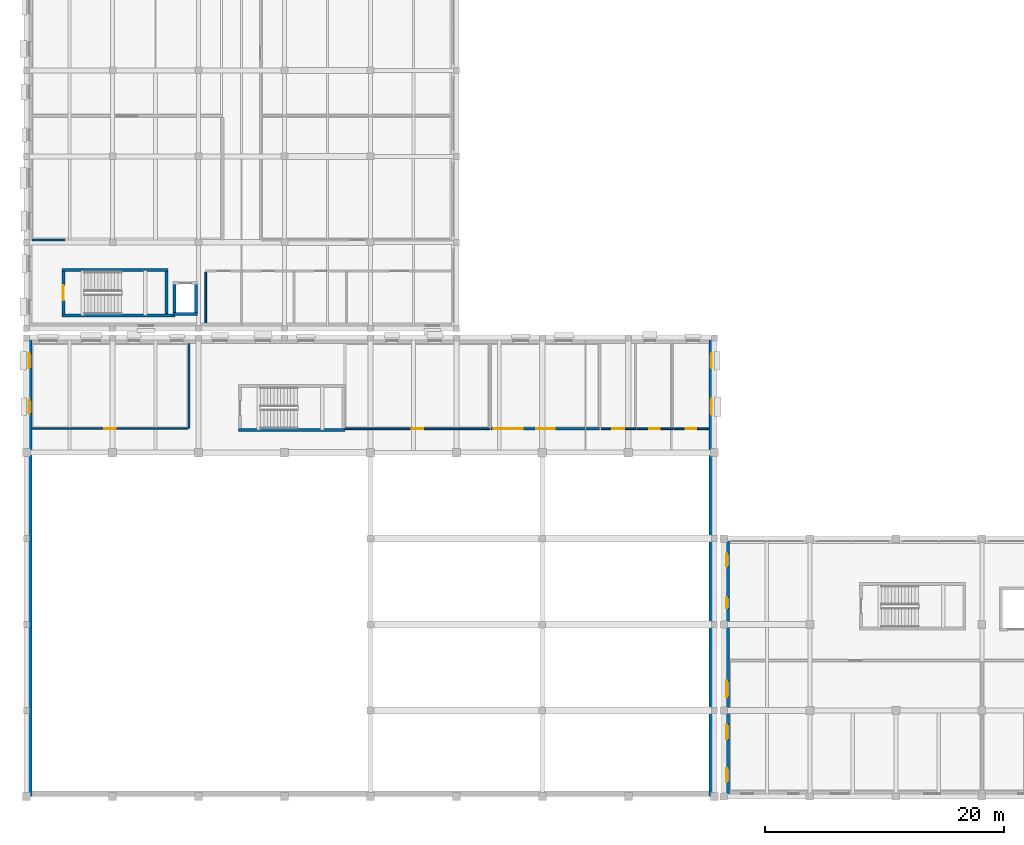
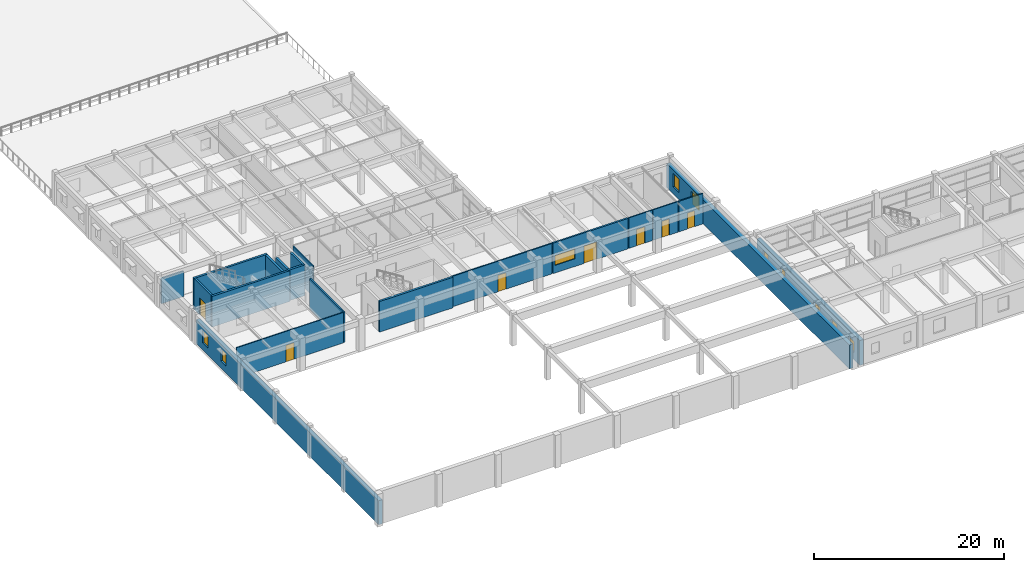
# One storey, part 44 of 67: 20 walls, 10 windows, 7 doors, 17 openings.
"""IFC4 building model written with IfcOpenShell, lengths in metres."""

from ifc_helpers import new_model, si_unit, direction, frame, frame_2d, origin, place, context, subcontext, project, spatial, rectangle, extrude, material, layer, layer_set, type_object, element, fill, save


model = new_model("IFC4")

# Units and contexts
model_context = context("Model", 3, precision=1e-05, world=origin(), true_north=direction((0.0, 1.0)))
body_context = subcontext(model_context, "Body", "Model", "MODEL_VIEW")
ifc_project = project(units=[si_unit("LENGTHUNIT", "METRE"), si_unit("AREAUNIT", "SQUARE_METRE"), si_unit("VOLUMEUNIT", "CUBIC_METRE"), si_unit("PLANEANGLEUNIT", "RADIAN"), si_unit("MASSUNIT", "GRAM", prefix="KILO")], contexts=[model_context])

# Site, building, storey
site_placement = place(None, origin())
site = spatial("IfcSite", under=ifc_project, at=site_placement, CompositionType="ELEMENT")
building_placement = place(site_placement, origin())
building = spatial("IfcBuilding", under=site, at=building_placement, Name="Bramveld Media Centre", CompositionType="ELEMENT")
storey_placement = place(building_placement, frame((0.0, 0.0, 5.39990234375)))
storey = spatial("IfcBuildingStorey", under=building, at=storey_placement, Name="L01", CompositionType="ELEMENT", Elevation=5.39990234375)

# Walls
ifc_material_1 = material(Name="Concrete C40/50 stair & lift core wall", Category="concrete")
ifc_layer_1 = layer(ifc_material_1, 0.25)
ifc_layer_set_1 = layer_set([ifc_layer_1], Name="Concrete C40/50 stair & lift core wall")
wall_type_1 = type_object("IfcWallType", Name="CWALL-SHEAR-250", PredefinedType="SHEAR", material=ifc_layer_set_1)
wall_1_placement = place(storey_placement, frame((2.949951171875, 40.27490234375, 0.0), z_axis=(0.0, 0.0, 1.0), x_axis=(1.0, 0.0, 0.0)))
element("IfcWall", 1, at=wall_1_placement, inside=storey, type_object=wall_type_1, Name="ST-04 L01 stair core shear wall S", PredefinedType="SHEAR", context=body_context, shape_type="SweptSolid", body=[
    extrude(rectangle(XDim=9.469970703125, YDim=0.25, at=frame_2d((4.73486328125, 0.0))), origin(), (0.0, 0.0, 1.0), 3.940185546875),
])
wall_2_placement = place(storey_placement, frame((11.85009765625, 44.074951171875, 0.0), z_axis=(0.0, 0.0, 1.0), x_axis=(-1.0, 0.0, 0.0)))
element("IfcWall", 2, at=wall_2_placement, inside=storey, type_object=wall_type_1, Name="ST-04 L01 stair core shear wall N", PredefinedType="SHEAR", context=body_context, shape_type="SweptSolid", body=[
    extrude(rectangle(XDim=8.900146484375, YDim=0.25, at=frame_2d((4.4501953125, 0.0))), origin(), (0.0, 0.0, 1.0), 3.940185546875),
])

# Wall, opening, door
wall_3_placement = place(storey_placement, frame((3.074951171875, 43.949951171875, 0.0), z_axis=(0.0, 0.0, 1.0), x_axis=(0.0, -1.0, 0.0)))
wall_3 = element("IfcWall", 3, at=wall_3_placement, inside=storey, type_object=wall_type_1, Name="ST-04 L01 stair core shear wall W", PredefinedType="SHEAR", context=body_context, shape_type="SweptSolid", body=[
    extrude(rectangle(XDim=3.550048828125, YDim=0.25, at=frame_2d((1.77490234375, 0.0))), origin(), (0.0, 0.0, 1.0), 3.940185546875),
])
opening_1_placement = place(wall_3_placement, frame((1.14990234375, 0.0, 0.0)))
opening_1 = element("IfcOpeningElement", 4, at=opening_1_placement, cuts=wall_3, Name="Opening SD-04-L01", PredefinedType="OPENING", context=body_context, shape_type="SweptSolid", body=[
    extrude(rectangle(XDim=1.25, YDim=2.14990234375, at=frame_2d((0.625, 1.074951171875))), frame((0.0, 0.136962890625, 0.0), z_axis=(0.0, -1.0, 0.0), x_axis=(1.0, 0.0, 0.0)), (0.0, 0.0, 1.0), 0.27392578125),
])
ifc_material_2 = material(Name="Painted galvanized steel acoustic fire door with intumescent smoke seals", Category="steel")
door_type_1 = type_object("IfcDoorType", Name="DR-ST-1250", OperationType="NOTDEFINED", PredefinedType="DOOR", material=ifc_material_2)
door_1_placement = place(opening_1_placement, origin())
door_1 = element("IfcDoor", 5, at=door_1_placement, inside=storey, type_object=door_type_1, Name="ST-04 L01 pressurized stair fire door", OperationType="SINGLE_SWING_LEFT", OverallHeight=2.14990234375, OverallWidth=1.25, PredefinedType="DOOR", context=body_context, shape_type="SweptSolid", body=[
    extrude(rectangle(XDim=1.25, YDim=2.14990234375, at=frame_2d((0.625, 1.074951171875))), frame((0.0, 0.02490234375, 0.0), z_axis=(0.0, -1.0, 0.0), x_axis=(1.0, 0.0, 0.0)), (0.0, 0.0, 1.0), 0.050048828125),
])
fill(opening_1, door_1)

# Walls
wall_4_placement = place(storey_placement, frame((11.72509765625, 40.39990234375, 0.0), z_axis=(0.0, 0.0, 1.0), x_axis=(0.0, 1.0, 0.0)))
element("IfcWall", 6, at=wall_4_placement, inside=storey, type_object=wall_type_1, Name="ST-04 L01 stair core shear wall E", PredefinedType="SHEAR", context=body_context, shape_type="SweptSolid", body=[
    extrude(rectangle(XDim=3.550048828125, YDim=0.25, at=frame_2d((1.77490234375, 0.0))), origin(), (0.0, 0.0, 1.0), 3.940185546875),
])
wall_5_placement = place(storey_placement, frame((17.75, 30.675048828125, 0.0), z_axis=(0.0, 0.0, 1.0), x_axis=(1.0, 0.0, 0.0)))
element("IfcWall", 7, at=wall_5_placement, inside=storey, type_object=wall_type_1, Name="ST-05 L01 stair core shear wall S", PredefinedType="SHEAR", context=body_context, shape_type="SweptSolid", body=[
    extrude(rectangle(XDim=8.89990234375, YDim=0.25, at=frame_2d((4.449951171875, 0.0))), origin(), (0.0, 0.0, 1.0), 3.920166015625),
])
wall_6_placement = place(storey_placement, frame((12.27490234375, 40.39990234375, 0.0), z_axis=(0.0, 0.0, 1.0), x_axis=(1.0, 0.0, 0.0)))
element("IfcWall", 8, at=wall_6_placement, inside=storey, type_object=wall_type_1, Name="PL-05 L01 lift shaft wall S", PredefinedType="SHEAR", context=body_context, shape_type="SweptSolid", body=[
    extrude(rectangle(XDim=2.050048828125, YDim=0.25, at=frame_2d((1.02490234375, 0.0))), origin(), (0.0, 0.0, 1.0), 3.940185546875),
])
for number, where, z_axis, x_axis, name in (
    (9, (12.39990234375, 43.0, 0.0), (0.0, 0.0, 1.0), (0.0, -1.0, 0.0), "PL-05 L01 lift shaft wall W"),
    (10, (14.199951171875, 40.39990234375, 0.0), (0.0, 0.0, 1.0), (0.0, 1.0, 0.0), "PL-05 L01 lift shaft wall E"),
):
    element("IfcWall", number, at=place(storey_placement, frame(where, z_axis=z_axis, x_axis=x_axis)), inside=storey, type_object=wall_type_1, Name=name, PredefinedType="SHEAR", context=body_context, shape_type="SweptSolid", body=[
        extrude(rectangle(XDim=2.60009765625, YDim=0.25, at=frame_2d((1.300048828125, 0.0))), origin(), (0.0, 0.0, 1.0), 3.940185546875),
    ])

# Wall, openings, windows
ifc_material_3 = material(Name="Flemish red-brown clay facing brick cavity wall with concrete C35/45 inner leaf", Category="masonry")
ifc_layer_2 = layer(ifc_material_3, 0.4599609375)
ifc_layer_set_2 = layer_set([ifc_layer_2], Name="Flemish red-brown clay facing brick cavity wall with concrete C35/45 inner leaf")
wall_type_2 = type_object("IfcWallType", Name="EW-BRK-460", PredefinedType="SOLIDWALL", material=ifc_layer_set_2)
wall_7_placement = place(storey_placement, frame((57.3701171875, 38.39990234375, 0.0), z_axis=(0.0, 0.0, 1.0), x_axis=(0.0, -1.0, 0.0)))
wall_7 = element("IfcWall", 11, at=wall_7_placement, inside=storey, type_object=wall_type_2, Name="V2 L01 E facing brick exterior wall", PredefinedType="SOLIDWALL", context=body_context, shape_type="SweptSolid", body=[
    extrude(rectangle(XDim=38.39990234375, YDim=0.4599609375, at=frame_2d((19.199951171875, 0.0))), origin(), (0.0, 0.0, 1.0), 3.0751953125),
])
opening_2_placement = place(wall_7_placement, frame((1.300048828125, 0.0, 0.89990234375)))
opening_2 = element("IfcOpeningElement", 12, at=opening_2_placement, cuts=wall_7, Name="Opening W-21", PredefinedType="OPENING", context=body_context, shape_type="SweptSolid", body=[
    extrude(rectangle(XDim=1.239990234375, YDim=1.75, at=frame_2d((0.6201171875, 0.875))), frame((0.0, 0.241943359375, 0.0), z_axis=(0.0, -1.0, 0.0), x_axis=(1.0, 0.0, 0.0)), (0.0, 0.0, 1.0), 0.48388671875),
])
opening_3_placement = place(wall_7_placement, frame((5.090087890625, 0.0, 0.89990234375)))
opening_3 = element("IfcOpeningElement", 13, at=opening_3_placement, cuts=wall_7, Name="Opening W-22", PredefinedType="OPENING", context=body_context, shape_type="SweptSolid", body=[
    extrude(rectangle(XDim=1.340087890625, YDim=1.75, at=frame_2d((0.669921875, 0.875))), frame((0.0, 0.241943359375, 0.0), z_axis=(0.0, -1.0, 0.0), x_axis=(1.0, 0.0, 0.0)), (0.0, 0.0, 1.0), 0.48388671875),
])
ifc_material_4 = material(Name="Thermally broken anodized bronze aluminium frame with triple acoustic glazing", Category="aluminium")
window_type_1 = type_object("IfcWindowType", Name="WIN-FAC-21", PartitioningType="SINGLE_PANEL", PredefinedType="WINDOW", material=ifc_material_4)
window_1_placement = place(opening_2_placement, origin())
window_1 = element("IfcWindow", 14, at=window_1_placement, inside=storey, type_object=window_type_1, Name="V2 L01 E acoustic facade window", OverallHeight=1.75, OverallWidth=1.239990234375, PartitioningType="SINGLE_PANEL", PredefinedType="WINDOW", context=body_context, shape_type="SweptSolid", body=[
    extrude(rectangle(XDim=1.239990234375, YDim=1.75, at=frame_2d((0.6201171875, 0.875))), frame((0.0, 0.030029296875, 0.0), z_axis=(0.0, -1.0, 0.0), x_axis=(1.0, 0.0, 0.0)), (0.0, 0.0, 1.0), 0.06005859375),
])
fill(opening_2, window_1)
ifc_material_5 = material(Name="Thermally broken anodized bronze aluminium frame with triple acoustic glazing", Category="aluminium")
window_type_2 = type_object("IfcWindowType", Name="WIN-FAC-22", PartitioningType="SINGLE_PANEL", PredefinedType="WINDOW", material=ifc_material_5)
window_2_placement = place(opening_3_placement, origin())
window_2 = element("IfcWindow", 15, at=window_2_placement, inside=storey, type_object=window_type_2, Name="V2 L01 E acoustic facade window", OverallHeight=1.75, OverallWidth=1.340087890625, PartitioningType="SINGLE_PANEL", PredefinedType="WINDOW", context=body_context, shape_type="SweptSolid", body=[
    extrude(rectangle(XDim=1.340087890625, YDim=1.75, at=frame_2d((0.669921875, 0.875))), frame((0.0, 0.030029296875, 0.0), z_axis=(0.0, -1.0, 0.0), x_axis=(1.0, 0.0, 0.0)), (0.0, 0.0, 1.0), 0.06005859375),
])
fill(opening_3, window_2)

wall_8_placement = place(storey_placement, frame((0.22998046875, 0.0, 0.0), z_axis=(0.0, 0.0, 1.0), x_axis=(0.0, 1.0, 0.0)))
wall_8 = element("IfcWall", 16, at=wall_8_placement, inside=storey, type_object=wall_type_2, Name="V2 L01 W facing brick exterior wall", PredefinedType="SOLIDWALL", context=body_context, shape_type="SweptSolid", body=[
    extrude(rectangle(XDim=38.39990234375, YDim=0.4599609375, at=frame_2d((19.199951171875, 0.0))), origin(), (0.0, 0.0, 1.0), 3.0751953125),
])
opening_4_placement = place(wall_8_placement, frame((32.06494140625, 0.0, 0.89990234375)))
opening_4 = element("IfcOpeningElement", 17, at=opening_4_placement, cuts=wall_8, Name="Opening W-15", PredefinedType="OPENING", context=body_context, shape_type="SweptSolid", body=[
    extrude(rectangle(XDim=1.14990234375, YDim=1.60009765625, at=frame_2d((0.574951171875, 0.800048828125))), frame((0.0, 0.241943359375, 0.0), z_axis=(0.0, -1.0, 0.0), x_axis=(1.0, 0.0, 0.0)), (0.0, 0.0, 1.0), 0.48388671875),
])
opening_5_placement = place(wall_8_placement, frame((35.85498046875, 0.0, 0.89990234375)))
opening_5 = element("IfcOpeningElement", 18, at=opening_5_placement, cuts=wall_8, Name="Opening W-16", PredefinedType="OPENING", context=body_context, shape_type="SweptSolid", body=[
    extrude(rectangle(XDim=1.25, YDim=1.60009765625, at=frame_2d((0.625, 0.800048828125))), frame((0.0, 0.241943359375, 0.0), z_axis=(0.0, -1.0, 0.0), x_axis=(1.0, 0.0, 0.0)), (0.0, 0.0, 1.0), 0.48388671875),
])
ifc_material_6 = material(Name="Thermally broken anodized bronze aluminium frame with triple acoustic glazing", Category="aluminium")
window_type_3 = type_object("IfcWindowType", Name="WIN-FAC-15", PartitioningType="SINGLE_PANEL", PredefinedType="WINDOW", material=ifc_material_6)
window_3_placement = place(opening_4_placement, origin())
window_3 = element("IfcWindow", 19, at=window_3_placement, inside=storey, type_object=window_type_3, Name="V2 L01 W acoustic facade window", OverallHeight=1.60009765625, OverallWidth=1.14990234375, PartitioningType="SINGLE_PANEL", PredefinedType="WINDOW", context=body_context, shape_type="SweptSolid", body=[
    extrude(rectangle(XDim=1.14990234375, YDim=1.60009765625, at=frame_2d((0.574951171875, 0.800048828125))), frame((0.0, 0.030029296875, 0.0), z_axis=(0.0, -1.0, 0.0), x_axis=(1.0, 0.0, 0.0)), (0.0, 0.0, 1.0), 0.06005859375),
])
fill(opening_4, window_3)
ifc_material_7 = material(Name="Thermally broken anodized bronze aluminium frame with triple acoustic glazing", Category="aluminium")
window_type_4 = type_object("IfcWindowType", Name="WIN-FAC-16", PartitioningType="SINGLE_PANEL", PredefinedType="WINDOW", material=ifc_material_7)
window_4_placement = place(opening_5_placement, origin())
window_4 = element("IfcWindow", 20, at=window_4_placement, inside=storey, type_object=window_type_4, Name="V2 L01 W acoustic facade window", OverallHeight=1.60009765625, OverallWidth=1.25, PartitioningType="SINGLE_PANEL", PredefinedType="WINDOW", context=body_context, shape_type="SweptSolid", body=[
    extrude(rectangle(XDim=1.25, YDim=1.60009765625, at=frame_2d((0.625, 0.800048828125))), frame((0.0, 0.030029296875, 0.0), z_axis=(0.0, -1.0, 0.0), x_axis=(1.0, 0.0, 0.0)), (0.0, 0.0, 1.0), 0.06005859375),
])
fill(opening_5, window_4)

wall_9_placement = place(storey_placement, frame((58.6298828125, 0.0, 0.0), z_axis=(0.0, 0.0, 1.0), x_axis=(0.0, 1.0, 0.0)))
wall_9 = element("IfcWall", 21, at=wall_9_placement, inside=storey, type_object=wall_type_2, Name="V5 L01 W facing brick exterior wall", PredefinedType="SOLIDWALL", context=body_context, shape_type="SweptSolid", body=[
    extrude(rectangle(XDim=21.60009765625, YDim=0.4599609375, at=frame_2d((10.800048828125, 0.0))), origin(), (0.0, 0.0, 1.0), 3.205078125),
])
opening_6_placement = place(wall_9_placement, frame((1.22509765625, 0.0, 0.89990234375)))
opening_6 = element("IfcOpeningElement", 22, at=opening_6_placement, cuts=wall_9, Name="Opening W-09", PredefinedType="OPENING", context=body_context, shape_type="SweptSolid", body=[
    extrude(rectangle(XDim=1.14990234375, YDim=1.449951171875, at=frame_2d((0.574951171875, 0.72509765625))), frame((0.0, 0.241943359375, 0.0), z_axis=(0.0, -1.0, 0.0), x_axis=(1.0, 0.0, 0.0)), (0.0, 0.0, 1.0), 0.48388671875),
])
opening_7_placement = place(wall_9_placement, frame((4.77490234375, 0.0, 0.89990234375)))
opening_7 = element("IfcOpeningElement", 23, at=opening_7_placement, cuts=wall_9, Name="Opening W-10", PredefinedType="OPENING", context=body_context, shape_type="SweptSolid", body=[
    extrude(rectangle(XDim=1.25, YDim=1.449951171875, at=frame_2d((0.625, 0.72509765625))), frame((0.0, 0.241943359375, 0.0), z_axis=(0.0, -1.0, 0.0), x_axis=(1.0, 0.0, 0.0)), (0.0, 0.0, 1.0), 0.48388671875),
])
opening_8_placement = place(wall_9_placement, frame((8.324951171875, 0.0, 0.89990234375)))
opening_8 = element("IfcOpeningElement", 24, at=opening_8_placement, cuts=wall_9, Name="Opening W-11", PredefinedType="OPENING", context=body_context, shape_type="SweptSolid", body=[
    extrude(rectangle(XDim=1.35009765625, YDim=1.449951171875, at=frame_2d((0.675048828125, 0.72509765625))), frame((0.0, 0.241943359375, 0.0), z_axis=(0.0, -1.0, 0.0), x_axis=(1.0, 0.0, 0.0)), (0.0, 0.0, 1.0), 0.48388671875),
])
opening_9_placement = place(wall_9_placement, frame((15.75, 0.0, 0.89990234375)))
opening_9 = element("IfcOpeningElement", 25, at=opening_9_placement, cuts=wall_9, Name="Opening W-13", PredefinedType="OPENING", context=body_context, shape_type="SweptSolid", body=[
    extrude(rectangle(XDim=0.89990234375, YDim=1.60009765625, at=frame_2d((0.449951171875, 0.800048828125))), frame((0.0, 0.241943359375, 0.0), z_axis=(0.0, -1.0, 0.0), x_axis=(1.0, 0.0, 0.0)), (0.0, 0.0, 1.0), 0.48388671875),
])
opening_10_placement = place(wall_9_placement, frame((19.27490234375, 0.0, 0.89990234375)))
opening_10 = element("IfcOpeningElement", 26, at=opening_10_placement, cuts=wall_9, Name="Opening W-14", PredefinedType="OPENING", context=body_context, shape_type="SweptSolid", body=[
    extrude(rectangle(XDim=1.050048828125, YDim=1.60009765625, at=frame_2d((0.52490234375, 0.800048828125))), frame((0.0, 0.241943359375, 0.0), z_axis=(0.0, -1.0, 0.0), x_axis=(1.0, 0.0, 0.0)), (0.0, 0.0, 1.0), 0.48388671875),
])
ifc_material_8 = material(Name="Thermally broken anodized bronze aluminium frame with triple acoustic glazing", Category="aluminium")
window_type_5 = type_object("IfcWindowType", Name="WIN-FAC-09", PartitioningType="SINGLE_PANEL", PredefinedType="WINDOW", material=ifc_material_8)
window_5_placement = place(opening_6_placement, origin())
window_5 = element("IfcWindow", 27, at=window_5_placement, inside=storey, type_object=window_type_5, Name="V5 L01 W acoustic facade window", OverallHeight=1.449951171875, OverallWidth=1.14990234375, PartitioningType="SINGLE_PANEL", PredefinedType="WINDOW", context=body_context, shape_type="SweptSolid", body=[
    extrude(rectangle(XDim=1.14990234375, YDim=1.449951171875, at=frame_2d((0.574951171875, 0.72509765625))), frame((0.0, 0.030029296875, 0.0), z_axis=(0.0, -1.0, 0.0), x_axis=(1.0, 0.0, 0.0)), (0.0, 0.0, 1.0), 0.06005859375),
])
fill(opening_6, window_5)
ifc_material_9 = material(Name="Thermally broken anodized bronze aluminium frame with triple acoustic glazing", Category="aluminium")
window_type_6 = type_object("IfcWindowType", Name="WIN-FAC-10", PartitioningType="SINGLE_PANEL", PredefinedType="WINDOW", material=ifc_material_9)
window_6_placement = place(opening_7_placement, origin())
window_6 = element("IfcWindow", 28, at=window_6_placement, inside=storey, type_object=window_type_6, Name="V5 L01 W acoustic facade window", OverallHeight=1.449951171875, OverallWidth=1.25, PartitioningType="SINGLE_PANEL", PredefinedType="WINDOW", context=body_context, shape_type="SweptSolid", body=[
    extrude(rectangle(XDim=1.25, YDim=1.449951171875, at=frame_2d((0.625, 0.72509765625))), frame((0.0, 0.030029296875, 0.0), z_axis=(0.0, -1.0, 0.0), x_axis=(1.0, 0.0, 0.0)), (0.0, 0.0, 1.0), 0.06005859375),
])
fill(opening_7, window_6)
ifc_material_10 = material(Name="Thermally broken anodized bronze aluminium frame with triple acoustic glazing", Category="aluminium")
window_type_7 = type_object("IfcWindowType", Name="WIN-FAC-11", PartitioningType="SINGLE_PANEL", PredefinedType="WINDOW", material=ifc_material_10)
window_7_placement = place(opening_8_placement, origin())
window_7 = element("IfcWindow", 29, at=window_7_placement, inside=storey, type_object=window_type_7, Name="V5 L01 W acoustic facade window", OverallHeight=1.449951171875, OverallWidth=1.35009765625, PartitioningType="SINGLE_PANEL", PredefinedType="WINDOW", context=body_context, shape_type="SweptSolid", body=[
    extrude(rectangle(XDim=1.35009765625, YDim=1.449951171875, at=frame_2d((0.675048828125, 0.72509765625))), frame((0.0, 0.030029296875, 0.0), z_axis=(0.0, -1.0, 0.0), x_axis=(1.0, 0.0, 0.0)), (0.0, 0.0, 1.0), 0.06005859375),
])
fill(opening_8, window_7)
ifc_material_11 = material(Name="Thermally broken anodized bronze aluminium frame with triple acoustic glazing", Category="aluminium")
window_type_8 = type_object("IfcWindowType", Name="WIN-FAC-13", PartitioningType="SINGLE_PANEL", PredefinedType="WINDOW", material=ifc_material_11)
window_8_placement = place(opening_9_placement, origin())
window_8 = element("IfcWindow", 30, at=window_8_placement, inside=storey, type_object=window_type_8, Name="V5 L01 W acoustic facade window", OverallHeight=1.60009765625, OverallWidth=0.89990234375, PartitioningType="SINGLE_PANEL", PredefinedType="WINDOW", context=body_context, shape_type="SweptSolid", body=[
    extrude(rectangle(XDim=0.89990234375, YDim=1.60009765625, at=frame_2d((0.449951171875, 0.800048828125))), frame((0.0, 0.030029296875, 0.0), z_axis=(0.0, -1.0, 0.0), x_axis=(1.0, 0.0, 0.0)), (0.0, 0.0, 1.0), 0.06005859375),
])
fill(opening_9, window_8)
ifc_material_12 = material(Name="Thermally broken anodized bronze aluminium frame with triple acoustic glazing", Category="aluminium")
window_type_9 = type_object("IfcWindowType", Name="WIN-FAC-14", PartitioningType="SINGLE_PANEL", PredefinedType="WINDOW", material=ifc_material_12)
window_9_placement = place(opening_10_placement, origin())
window_9 = element("IfcWindow", 31, at=window_9_placement, inside=storey, type_object=window_type_9, Name="V5 L01 W acoustic facade window", OverallHeight=1.60009765625, OverallWidth=1.050048828125, PartitioningType="SINGLE_PANEL", PredefinedType="WINDOW", context=body_context, shape_type="SweptSolid", body=[
    extrude(rectangle(XDim=1.050048828125, YDim=1.60009765625, at=frame_2d((0.52490234375, 0.800048828125))), frame((0.0, 0.030029296875, 0.0), z_axis=(0.0, -1.0, 0.0), x_axis=(1.0, 0.0, 0.0)), (0.0, 0.0, 1.0), 0.06005859375),
])
fill(opening_10, window_9)

# Wall, openings, door, window
ifc_material_13 = material(Name="Acoustic calcium-silicate & mineral-wool compartment partition", Category="masonry")
ifc_layer_3 = layer(ifc_material_13, 0.199951171875)
ifc_layer_set_3 = layer_set([ifc_layer_3], Name="Acoustic calcium-silicate & mineral-wool compartment partition")
wall_type_3 = type_object("IfcWallType", Name="IW-ACOU-200", PredefinedType="PARTITIONING", material=ifc_layer_set_3)
wall_10_placement = place(storey_placement, frame((38.885009765625, 30.800048828125, 0.0), z_axis=(0.0, 0.0, 1.0), x_axis=(1.0, 0.0, 0.0)))
wall_10 = element("IfcWall", 32, at=wall_10_placement, inside=storey, type_object=wall_type_3, Name="Master Control & Ingest Server Room partition wall", PredefinedType="PARTITIONING", context=body_context, shape_type="SweptSolid", body=[
    extrude(rectangle(XDim=9.114990234375, YDim=0.199951171875, at=frame_2d((4.5576171875, 0.0))), origin(), (0.0, 0.0, 1.0), 3.920166015625),
])
opening_11_placement = place(wall_10_placement, frame((3.777587890625, 0.0, 0.0)))
opening_11 = element("IfcOpeningElement", 33, at=opening_11_placement, cuts=wall_10, Name="Opening D-01-057", PredefinedType="OPENING", context=body_context, shape_type="SweptSolid", body=[
    extrude(rectangle(XDim=1.56005859375, YDim=2.25, at=frame_2d((0.780029296875, 1.125))), frame((0.0, 0.11181640625, 0.0), z_axis=(0.0, -1.0, 0.0), x_axis=(1.0, 0.0, 0.0)), (0.0, 0.0, 1.0), 0.223876953125),
])
opening_12_placement = place(wall_10_placement, frame((0.25, 0.0, 1.0)))
opening_12 = element("IfcOpeningElement", 34, at=opening_12_placement, cuts=wall_10, Name="Opening IW-W1", PredefinedType="OPENING", context=body_context, shape_type="SweptSolid", body=[
    extrude(rectangle(XDim=2.39990234375, YDim=1.25, at=frame_2d((1.199951171875, 0.625))), frame((0.0, 0.11181640625, 0.0), z_axis=(0.0, -1.0, 0.0), x_axis=(1.0, 0.0, 0.0)), (0.0, 0.0, 1.0), 0.223876953125),
])
ifc_material_14 = material(Name="Fire-rated acoustic timber & steel composite door", Category="steel")
door_type_2 = type_object("IfcDoorType", Name="DR-HALL-1560", OperationType="NOTDEFINED", PredefinedType="DOOR", material=ifc_material_14)
door_2_placement = place(opening_11_placement, origin())
door_2 = element("IfcDoor", 35, at=door_2_placement, inside=storey, type_object=door_type_2, Name="Master Control & Ingest Server Room entrance door", OperationType="DOUBLE_DOOR_SINGLE_SWING", OverallHeight=2.25, OverallWidth=1.56005859375, PredefinedType="DOOR", context=body_context, shape_type="SweptSolid", body=[
    extrude(rectangle(XDim=1.56005859375, YDim=2.25, at=frame_2d((0.780029296875, 1.125))), frame((0.0, 0.02490234375, 0.0), z_axis=(0.0, -1.0, 0.0), x_axis=(1.0, 0.0, 0.0)), (0.0, 0.0, 1.0), 0.050048828125),
])
fill(opening_11, door_2)
ifc_material_15 = material(Name="Triple-glazed angled studio acoustic control-room observation window")
window_type_10 = type_object("IfcWindowType", Name="WIN-INT-OBS-01", PartitioningType="SINGLE_PANEL", PredefinedType="WINDOW", material=ifc_material_15)
window_10_placement = place(opening_12_placement, origin())
window_10 = element("IfcWindow", 36, at=window_10_placement, inside=storey, type_object=window_type_10, Name="Master Control & Ingest Server Room acoustic observation window", OverallHeight=1.25, OverallWidth=2.39990234375, PartitioningType="SINGLE_PANEL", PredefinedType="WINDOW", context=body_context, shape_type="SweptSolid", body=[
    extrude(rectangle(XDim=2.39990234375, YDim=1.25, at=frame_2d((1.199951171875, 0.625))), frame((0.0, 0.030029296875, 0.0), z_axis=(0.0, -1.0, 0.0), x_axis=(1.0, 0.0, 0.0)), (0.0, 0.0, 1.0), 0.06005859375),
])
fill(opening_12, window_10)

# Walls
ifc_material_16 = material(Name="Fire-rated twin-frame gypsum corridor wall", Category="gypsum")
ifc_layer_4 = layer(ifc_material_16, 0.179931640625)
ifc_layer_set_4 = layer_set([ifc_layer_4], Name="Fire-rated twin-frame gypsum corridor wall")
wall_type_4 = type_object("IfcWallType", Name="IW-FIRE-180", PredefinedType="PARTITIONING", material=ifc_layer_set_4)
wall_11_placement = place(storey_placement, frame((13.60009765625, 30.800048828125, 0.0), z_axis=(0.0, 0.0, 1.0), x_axis=(0.0, 1.0, 0.0)))
element("IfcWall", 37, at=wall_11_placement, inside=storey, type_object=wall_type_4, Name="Stair ST-05 L01 Landing Lobby partition wall", PredefinedType="PARTITIONING", context=body_context, shape_type="SweptSolid", body=[
    extrude(rectangle(XDim=7.1298828125, YDim=0.179931640625, at=frame_2d((3.56494140625, 0.0))), origin(), (0.0, 0.0, 1.0), 3.920166015625),
])
wall_12_placement = place(storey_placement, frame((0.469970703125, 46.60009765625, 0.0), z_axis=(0.0, 0.0, 1.0), x_axis=(1.0, 0.0, 0.0)))
element("IfcWall", 38, at=wall_12_placement, inside=storey, type_object=wall_type_4, Name="Stair ST-04 L01 Landing Lobby partition wall", PredefinedType="PARTITIONING", context=body_context, shape_type="SweptSolid", body=[
    extrude(rectangle(XDim=2.72998046875, YDim=0.179931640625, at=frame_2d((1.364990234375, 0.0))), origin(), (0.0, 0.0, 1.0), 3.26513671875),
])

# Wall, opening, door
ifc_material_17 = material(Name="Lightweight acoustic stud partition", Category="gypsum")
ifc_layer_5 = layer(ifc_material_17, 0.125)
ifc_layer_set_5 = layer_set([ifc_layer_5], Name="Lightweight acoustic stud partition")
wall_type_5 = type_object("IfcWallType", Name="IW-PART-125", PredefinedType="PARTITIONING", material=ifc_layer_set_5)
wall_13_placement = place(storey_placement, frame((0.469970703125, 30.800048828125, 0.0), z_axis=(0.0, 0.0, 1.0), x_axis=(1.0, 0.0, 0.0)))
wall_13 = element("IfcWall", 39, at=wall_13_placement, inside=storey, type_object=wall_type_5, Name="Studio 1 Production & Vision Control Room partition wall", PredefinedType="PARTITIONING", context=body_context, shape_type="SweptSolid", body=[
    extrude(rectangle(XDim=13.030029296875, YDim=0.125, at=frame_2d((6.51513671875, 0.0))), origin(), (0.0, 0.0, 1.0), 3.920166015625),
])
opening_13_placement = place(wall_13_placement, frame((6.02490234375, 0.0, 0.0)))
opening_13 = element("IfcOpeningElement", 40, at=opening_13_placement, cuts=wall_13, Name="Opening D-01-055", PredefinedType="OPENING", context=body_context, shape_type="SweptSolid", body=[
    extrude(rectangle(XDim=0.97998046875, YDim=2.1201171875, at=frame_2d((0.489990234375, 1.06005859375))), frame((0.0, 0.074462890625, 0.0), z_axis=(0.0, -1.0, 0.0), x_axis=(1.0, 0.0, 0.0)), (0.0, 0.0, 1.0), 0.14892578125),
])
ifc_material_18 = material(Name="Solid-core European oak acoustic timber leaf in steel frame", Category="steel")
door_type_3 = type_object("IfcDoorType", Name="DR-RM-0980", OperationType="NOTDEFINED", PredefinedType="DOOR", material=ifc_material_18)
door_3_placement = place(opening_13_placement, origin())
door_3 = element("IfcDoor", 41, at=door_3_placement, inside=storey, type_object=door_type_3, Name="Studio 1 Production & Vision Control Room entrance door", OperationType="SINGLE_SWING_LEFT", OverallHeight=2.1201171875, OverallWidth=0.97998046875, PredefinedType="DOOR", context=body_context, shape_type="SweptSolid", body=[
    extrude(rectangle(XDim=0.97998046875, YDim=2.1201171875, at=frame_2d((0.489990234375, 1.06005859375))), frame((0.0, 0.02490234375, 0.0), z_axis=(0.0, -1.0, 0.0), x_axis=(1.0, 0.0, 0.0)), (0.0, 0.0, 1.0), 0.050048828125),
])
fill(opening_13, door_3)

ifc_material_19 = material(Name="Insulated metal-stud gypsum room partition", Category="gypsum")
ifc_layer_6 = layer(ifc_material_19, 0.14990234375)
ifc_layer_set_6 = layer_set([ifc_layer_6], Name="Insulated metal-stud gypsum room partition")
wall_type_6 = type_object("IfcWallType", Name="IW-PART-150", PredefinedType="PARTITIONING", material=ifc_layer_set_6)
wall_14_placement = place(storey_placement, frame((26.659912109375, 30.800048828125, 0.0), z_axis=(0.0, 0.0, 1.0), x_axis=(1.0, 0.0, 0.0)))
wall_14 = element("IfcWall", 42, at=wall_14_placement, inside=storey, type_object=wall_type_6, Name="Studio 2 Sound Control & Mixing Gallery partition wall", PredefinedType="PARTITIONING", context=body_context, shape_type="SweptSolid", body=[
    extrude(rectangle(XDim=12.14013671875, YDim=0.14990234375, at=frame_2d((6.070068359375, 0.0))), origin(), (0.0, 0.0, 1.0), 3.920166015625),
])
opening_14_placement = place(wall_14_placement, frame((5.590087890625, 0.0, 0.0)))
opening_14 = element("IfcOpeningElement", 43, at=opening_14_placement, cuts=wall_14, Name="Opening D-01-056", PredefinedType="OPENING", context=body_context, shape_type="SweptSolid", body=[
    extrude(rectangle(XDim=0.9599609375, YDim=2.10009765625, at=frame_2d((0.47998046875, 1.050048828125))), frame((0.0, 0.0869140625, 0.0), z_axis=(0.0, -1.0, 0.0), x_axis=(1.0, 0.0, 0.0)), (0.0, 0.0, 1.0), 0.173828125),
])
ifc_material_20 = material(Name="Solid-core European oak acoustic timber leaf in steel frame", Category="steel")
door_type_4 = type_object("IfcDoorType", Name="DR-RM-0960", OperationType="NOTDEFINED", PredefinedType="DOOR", material=ifc_material_20)
door_4_placement = place(opening_14_placement, origin())
door_4 = element("IfcDoor", 44, at=door_4_placement, inside=storey, type_object=door_type_4, Name="Studio 2 Sound Control & Mixing Gallery entrance door", OperationType="SINGLE_SWING_RIGHT", OverallHeight=2.10009765625, OverallWidth=0.9599609375, PredefinedType="DOOR", context=body_context, shape_type="SweptSolid", body=[
    extrude(rectangle(XDim=0.9599609375, YDim=2.10009765625, at=frame_2d((0.47998046875, 1.050048828125))), frame((0.0, 0.02490234375, 0.0), z_axis=(0.0, -1.0, 0.0), x_axis=(1.0, 0.0, 0.0)), (0.0, 0.0, 1.0), 0.050048828125),
])
fill(opening_14, door_4)

ifc_material_21 = material(Name="Moisture-resistant cement-board sanitary partition", Category="gypsum")
ifc_layer_7 = layer(ifc_material_21, 0.139892578125)
ifc_layer_set_7 = layer_set([ifc_layer_7], Name="Moisture-resistant cement-board sanitary partition")
wall_type_7 = type_object("IfcWallType", Name="IW-WET-140", PredefinedType="PARTITIONING", material=ifc_layer_set_7)
wall_15_placement = place(storey_placement, frame((48.110107421875, 30.800048828125, 0.0), z_axis=(0.0, 0.0, 1.0), x_axis=(1.0, 0.0, 0.0)))
wall_15 = element("IfcWall", 45, at=wall_15_placement, inside=storey, type_object=wall_type_7, Name="Accessible WC partition wall", PredefinedType="PARTITIONING", context=body_context, shape_type="SweptSolid", body=[
    extrude(rectangle(XDim=2.889892578125, YDim=0.139892578125, at=frame_2d((1.44482421875, 0.0))), origin(), (0.0, 0.0, 1.0), 3.920166015625),
])
opening_15_placement = place(wall_15_placement, frame((0.945068359375, 0.0, 0.0)))
opening_15 = element("IfcOpeningElement", 46, at=opening_15_placement, cuts=wall_15, Name="Opening D-01-058", PredefinedType="OPENING", context=body_context, shape_type="SweptSolid", body=[
    extrude(rectangle(XDim=1.0, YDim=2.10009765625, at=frame_2d((0.5, 1.050048828125))), frame((0.0, 0.08203125, 0.0), z_axis=(0.0, -1.0, 0.0), x_axis=(1.0, 0.0, 0.0)), (0.0, 0.0, 1.0), 0.163818359375),
])
ifc_material_22 = material(Name="Solid-core European oak acoustic timber leaf in steel frame", Category="steel")
door_type_5 = type_object("IfcDoorType", Name="DR-WC-PMR-1000", OperationType="NOTDEFINED", PredefinedType="DOOR", material=ifc_material_22)
door_5_placement = place(opening_15_placement, origin())
door_5 = element("IfcDoor", 47, at=door_5_placement, inside=storey, type_object=door_type_5, Name="Accessible WC entrance door", OperationType="SINGLE_SWING_LEFT", OverallHeight=2.10009765625, OverallWidth=1.0, PredefinedType="DOOR", context=body_context, shape_type="SweptSolid", body=[
    extrude(rectangle(XDim=1.0, YDim=2.10009765625, at=frame_2d((0.5, 1.050048828125))), frame((0.0, 0.02490234375, 0.0), z_axis=(0.0, -1.0, 0.0), x_axis=(1.0, 0.0, 0.0)), (0.0, 0.0, 1.0), 0.050048828125),
])
fill(opening_15, door_5)

wall_16_placement = place(storey_placement, frame((51.080078125, 30.800048828125, 0.0), z_axis=(0.0, 0.0, 1.0), x_axis=(1.0, 0.0, 0.0)))
wall_16 = element("IfcWall", 48, at=wall_16_placement, inside=storey, type_object=wall_type_7, Name="Male WC partition wall", PredefinedType="PARTITIONING", context=body_context, shape_type="SweptSolid", body=[
    extrude(rectangle(XDim=3.02001953125, YDim=0.139892578125, at=frame_2d((1.510009765625, 0.0))), origin(), (0.0, 0.0, 1.0), 3.920166015625),
])
opening_16_placement = place(wall_16_placement, frame((1.054931640625, 0.0, 0.0)))
opening_16 = element("IfcOpeningElement", 49, at=opening_16_placement, cuts=wall_16, Name="Opening D-01-059", PredefinedType="OPENING", context=body_context, shape_type="SweptSolid", body=[
    extrude(rectangle(XDim=0.909912109375, YDim=2.06005859375, at=frame_2d((0.455078125, 1.030029296875))), frame((0.0, 0.08203125, 0.0), z_axis=(0.0, -1.0, 0.0), x_axis=(1.0, 0.0, 0.0)), (0.0, 0.0, 1.0), 0.163818359375),
])
ifc_material_23 = material(Name="Solid-core European oak acoustic timber leaf in steel frame", Category="steel")
door_type_6 = type_object("IfcDoorType", Name="DR-WC-0910", OperationType="NOTDEFINED", PredefinedType="DOOR", material=ifc_material_23)
door_6_placement = place(opening_16_placement, origin())
door_6 = element("IfcDoor", 50, at=door_6_placement, inside=storey, type_object=door_type_6, Name="Male WC entrance door", OperationType="SINGLE_SWING_RIGHT", OverallHeight=2.06005859375, OverallWidth=0.909912109375, PredefinedType="DOOR", context=body_context, shape_type="SweptSolid", body=[
    extrude(rectangle(XDim=0.909912109375, YDim=2.06005859375, at=frame_2d((0.455078125, 1.030029296875))), frame((0.0, 0.02490234375, 0.0), z_axis=(0.0, -1.0, 0.0), x_axis=(1.0, 0.0, 0.0)), (0.0, 0.0, 1.0), 0.050048828125),
])
fill(opening_16, door_6)

wall_17_placement = place(storey_placement, frame((54.179931640625, 30.800048828125, 0.0), z_axis=(0.0, 0.0, 1.0), x_axis=(1.0, 0.0, 0.0)))
wall_17 = element("IfcWall", 51, at=wall_17_placement, inside=storey, type_object=wall_type_7, Name="Female WC partition wall", PredefinedType="PARTITIONING", context=body_context, shape_type="SweptSolid", body=[
    extrude(rectangle(XDim=2.949951171875, YDim=0.139892578125, at=frame_2d((1.47509765625, 0.0))), origin(), (0.0, 0.0, 1.0), 3.920166015625),
])
opening_17_placement = place(wall_17_placement, frame((1.030029296875, 0.0, 0.0)))
opening_17 = element("IfcOpeningElement", 52, at=opening_17_placement, cuts=wall_17, Name="Opening D-01-060", PredefinedType="OPENING", context=body_context, shape_type="SweptSolid", body=[
    extrude(rectangle(XDim=0.889892578125, YDim=2.050048828125, at=frame_2d((0.44482421875, 1.02490234375))), frame((0.0, 0.08203125, 0.0), z_axis=(0.0, -1.0, 0.0), x_axis=(1.0, 0.0, 0.0)), (0.0, 0.0, 1.0), 0.163818359375),
])
ifc_material_24 = material(Name="Solid-core European oak acoustic timber leaf in steel frame", Category="steel")
door_type_7 = type_object("IfcDoorType", Name="DR-WC-0890", OperationType="NOTDEFINED", PredefinedType="DOOR", material=ifc_material_24)
door_7_placement = place(opening_17_placement, origin())
door_7 = element("IfcDoor", 53, at=door_7_placement, inside=storey, type_object=door_type_7, Name="Female WC entrance door", OperationType="SINGLE_SWING_LEFT", OverallHeight=2.050048828125, OverallWidth=0.889892578125, PredefinedType="DOOR", context=body_context, shape_type="SweptSolid", body=[
    extrude(rectangle(XDim=0.889892578125, YDim=2.050048828125, at=frame_2d((0.44482421875, 1.02490234375))), frame((0.0, 0.02490234375, 0.0), z_axis=(0.0, -1.0, 0.0), x_axis=(1.0, 0.0, 0.0)), (0.0, 0.0, 1.0), 0.050048828125),
])
fill(opening_17, door_7)

# Wall
wall_18_placement = place(storey_placement, frame((15.0, 39.669921875, 0.0), z_axis=(0.0, 0.0, 1.0), x_axis=(0.0, 1.0, 0.0)))
element("IfcWall", 54, at=wall_18_placement, inside=storey, type_object=wall_type_7, Name="Accessible WC partition wall", PredefinedType="PARTITIONING", context=body_context, shape_type="SweptSolid", body=[
    extrude(rectangle(XDim=4.25, YDim=0.139892578125, at=frame_2d((2.125, 0.0))), origin(), (0.0, 0.0, 1.0), 3.940185546875),
])

save(model, "model.ifc")
